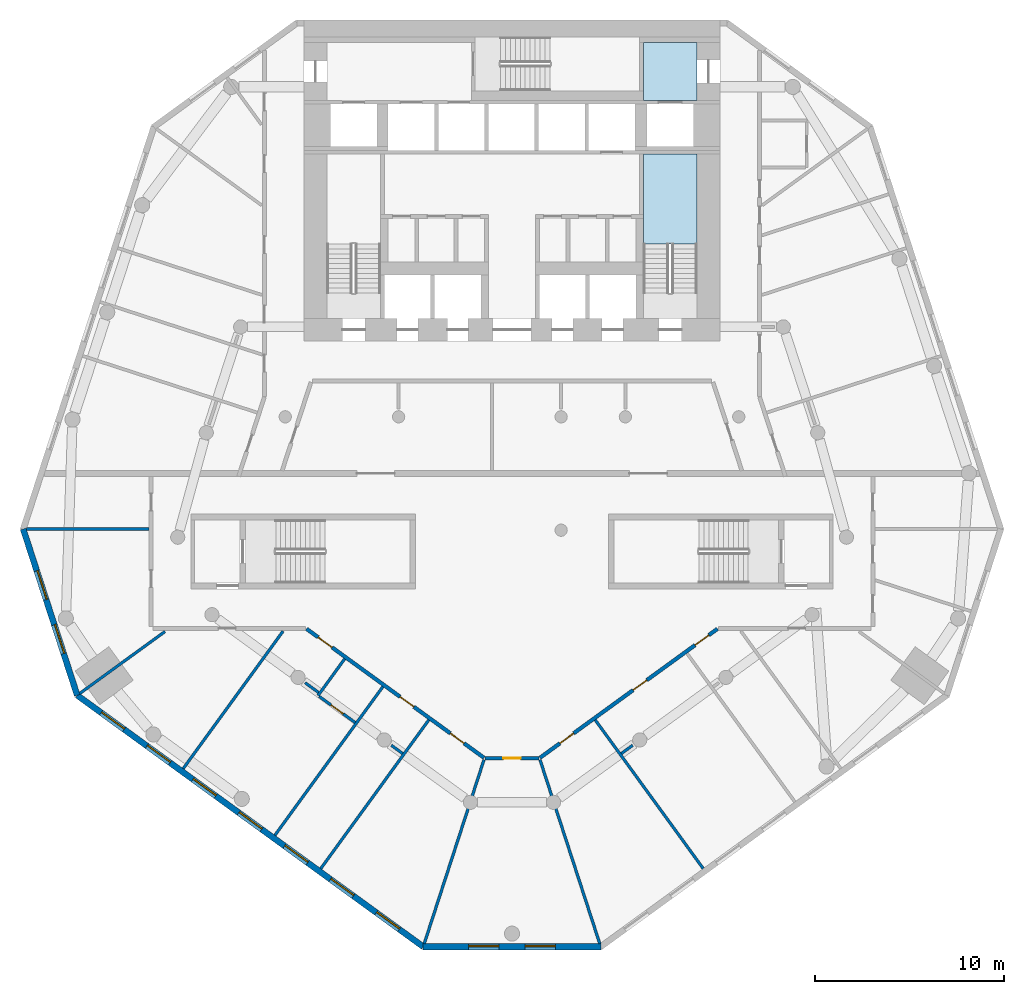
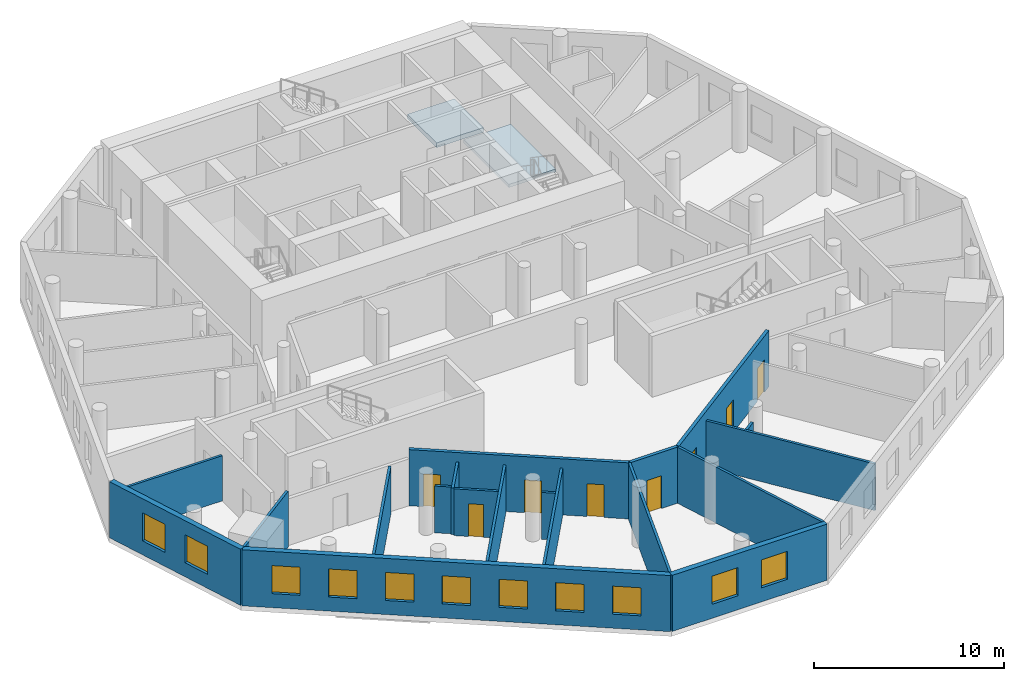
# One storey, part 2 of 9: 19 walls, 11 windows, 8 doors, 2 slabs, 19 openings, 1 element without a shape of its own.
"""IFC4 building model written with IfcOpenShell, lengths in metres."""

from ifc_helpers import new_model, si_unit, direction, frame, frame_2d, origin, place, context, subcontext, project, spatial, polyline, rectangle, outline, extrude, material, layer, layer_set, type_object, element, fill, aggregate, save


model = new_model("IFC4")

# Units and contexts
model_context = context("Model", 3, precision=1e-05, world=origin(), true_north=direction((0.0, 1.0)))
body_context = subcontext(model_context, "Body", "Model", "MODEL_VIEW")
ifc_project = project(units=[si_unit("LENGTHUNIT", "METRE"), si_unit("AREAUNIT", "SQUARE_METRE"), si_unit("VOLUMEUNIT", "CUBIC_METRE"), si_unit("PLANEANGLEUNIT", "RADIAN"), si_unit("MASSUNIT", "GRAM", prefix="KILO")], contexts=[model_context])

# Site, building, storey
site_placement = place(None, origin())
site = spatial("IfcSite", under=ifc_project, at=site_placement, CompositionType="ELEMENT")
building_placement = place(site_placement, origin())
building = spatial("IfcBuilding", under=site, at=building_placement, Name="White Candle Pilgrim Tower", CompositionType="ELEMENT")
storey_placement = place(building_placement, frame((0.0, 0.0, 81.89990234375)))
storey = spatial("IfcBuildingStorey", under=building, at=storey_placement, Name="L17", CompositionType="ELEMENT", Elevation=81.89990234375)

# Slab
ifc_material_1 = material(Name="Concrete C40/50", Category="concrete")
ifc_layer_1 = layer(ifc_material_1, 0.300048828125)
ifc_layer_set_1 = layer_set([ifc_layer_1], Name="Core floor slab 300 mm Concrete C40/50")
slab_type_1 = type_object("IfcSlabType", Name="Core floor slab 300 mm Concrete C40/50", PredefinedType="FLOOR", material=ifc_layer_set_1)
slab_1_placement = place(storey_placement, frame((0.0, 0.0, -0.2998046875)))
element("IfcSlab", 1, at=slab_1_placement, inside=storey, type_object=slab_type_1, Name="CF-L17-06", PredefinedType="FLOOR", context=body_context, shape_type="SweptSolid", body=[
    extrude(outline(polyline([(79.800048828125, 86.800048828125), (79.800048828125, 83.75), (76.949951171875, 83.75), (76.949951171875, 84.25), (76.949951171875, 86.800048828125), (79.800048828125, 86.800048828125)])), origin(), (0.0, 0.0, 1.0), 0.2998046875),
])

# Stair, slab
stair_type = type_object("IfcStairType", Name="Exit stair 2 flight width 1350 mm", PredefinedType="HALF_TURN_STAIR", material=ifc_material_1)
stair_placement = place(storey_placement, origin())
stair = element("IfcStair", 2, at=stair_placement, inside=storey, type_object=stair_type, Name="L17 stair 2", PredefinedType="NOTDEFINED")
ifc_layer_2 = layer(ifc_material_1, 0.199951171875)
ifc_layer_set_2 = layer_set([ifc_layer_2], Name="Stair landing Concrete C40/50")
slab_type_2 = type_object("IfcSlabType", Name="Stair landing Concrete C40/50", PredefinedType="LANDING", material=ifc_layer_set_2)
slab_2_placement = place(storey_placement, frame((0.0, 0.0, 1.75)))
slab_2 = element("IfcSlab", 3, at=slab_2_placement, type_object=slab_type_2, Name="ST2 landing 1", PredefinedType="LANDING", context=body_context, shape_type="SweptSolid", body=[
    extrude(outline(polyline([(79.802001953125, 76.14794921875), (76.947998046875, 76.14794921875), (76.947998046875, 80.902099609375), (79.802001953125, 80.902099609375), (79.802001953125, 76.14794921875)])), origin(), (0.0, 0.0, 1.0), 0.2001953125),
])
aggregate(stair, [slab_2])

# Wall, openings, doors
ifc_material_2 = material(Name="Gypsum board on steel studs", Category="steel")
ifc_layer_3 = layer(ifc_material_2, 0.199951171875)
ifc_layer_set_3 = layer_set([ifc_layer_3], Name="Corridor wall 200 mm EI 45")
wall_type_1 = type_object("IfcWallType", Name="Corridor wall 200 mm EI 45", PredefinedType="PARTITIONING", material=ifc_layer_set_3)
wall_1_placement = place(storey_placement, frame((80.8740234375, 55.781005859375, 0.0), z_axis=(0.0, 0.0, 1.0), x_axis=(-0.80901423231, -0.587789053931, 0.0)))
wall_1 = element("IfcWall", 4, at=wall_1_placement, inside=storey, type_object=wall_type_1, Name="WL-L17-P008", PredefinedType="PARTITIONING", context=body_context, shape_type="SweptSolid", body=[
    extrude(rectangle(XDim=11.61083984375, YDim=0.199951171875, at=frame_2d((5.805419921875, 0.0))), origin(), (0.0, 0.0, 1.0), 3.60009765625),
])
opening_1_placement = place(wall_1_placement, frame((9.40576171875, 0.0, 0.0)))
opening_1 = element("IfcOpeningElement", 5, at=opening_1_placement, cuts=wall_1, Name="Opening T05-108", PredefinedType="OPENING", context=body_context, shape_type="SweptSolid", body=[
    extrude(rectangle(XDim=0.89990234375, YDim=2.10009765625, at=frame_2d((0.449951171875, 1.050048828125))), frame((0.0, 0.10986328125, 0.0), z_axis=(0.0, -1.0, 0.0), x_axis=(1.0, 0.0, 0.0)), (0.0, 0.0, 1.0), 0.219970703125),
])
opening_2_placement = place(wall_1_placement, frame((4.6181640625, 0.0, 0.0)))
opening_2 = element("IfcOpeningElement", 6, at=opening_2_placement, cuts=wall_1, Name="Opening T05-109", PredefinedType="OPENING", context=body_context, shape_type="SweptSolid", body=[
    extrude(rectangle(XDim=0.89990234375, YDim=2.10009765625, at=frame_2d((0.449951171875, 1.050048828125))), frame((0.0, 0.10986328125, 0.0), z_axis=(0.0, -1.0, 0.0), x_axis=(1.0, 0.0, 0.0)), (0.0, 0.0, 1.0), 0.219970703125),
])
opening_3_placement = place(wall_1_placement, frame((0.56787109375, 0.0, 0.0)))
opening_3 = element("IfcOpeningElement", 7, at=opening_3_placement, cuts=wall_1, Name="Opening T05-110", PredefinedType="OPENING", context=body_context, shape_type="SweptSolid", body=[
    extrude(rectangle(XDim=0.89990234375, YDim=2.10009765625, at=frame_2d((0.449951171875, 1.050048828125))), frame((0.0, 0.10986328125, 0.0), z_axis=(0.0, -1.0, 0.0), x_axis=(1.0, 0.0, 0.0)), (0.0, 0.0, 1.0), 0.219970703125),
])
ifc_material_3 = material(Name="Steel door leaf", Category="steel")
door_type_1 = type_object("IfcDoorType", Name="Fire door 900 x 2100 EI 30", OperationType="NOTDEFINED", PredefinedType="DOOR", material=ifc_material_3)
door_1_placement = place(opening_1_placement, origin())
door_1 = element("IfcDoor", 8, at=door_1_placement, inside=storey, type_object=door_type_1, Name="Door T05-108", OperationType="SINGLE_SWING_RIGHT", OverallHeight=2.10009765625, OverallWidth=0.89990234375, PredefinedType="DOOR", context=body_context, shape_type="SweptSolid", body=[
    extrude(rectangle(XDim=0.89990234375, YDim=2.10009765625, at=frame_2d((0.449951171875, 1.050048828125))), frame((0.0, 0.02490234375, 0.0), z_axis=(0.0, -1.0, 0.0), x_axis=(1.0, 0.0, 0.0)), (0.0, 0.0, 1.0), 0.050048828125),
])
fill(opening_1, door_1)
door_2_placement = place(opening_2_placement, origin())
door_2 = element("IfcDoor", 9, at=door_2_placement, inside=storey, type_object=door_type_1, Name="Door T05-109", OperationType="SINGLE_SWING_LEFT", OverallHeight=2.10009765625, OverallWidth=0.89990234375, PredefinedType="DOOR", context=body_context, shape_type="SweptSolid", body=[
    extrude(rectangle(XDim=0.89990234375, YDim=2.10009765625, at=frame_2d((0.449951171875, 1.050048828125))), frame((0.0, 0.02490234375, 0.0), z_axis=(0.0, -1.0, 0.0), x_axis=(1.0, 0.0, 0.0)), (0.0, 0.0, 1.0), 0.050048828125),
])
fill(opening_2, door_2)
door_3_placement = place(opening_3_placement, origin())
door_3 = element("IfcDoor", 10, at=door_3_placement, inside=storey, type_object=door_type_1, Name="Door T05-110", OperationType="SINGLE_SWING_RIGHT", OverallHeight=2.10009765625, OverallWidth=0.89990234375, PredefinedType="DOOR", context=body_context, shape_type="SweptSolid", body=[
    extrude(rectangle(XDim=0.89990234375, YDim=2.10009765625, at=frame_2d((0.449951171875, 1.050048828125))), frame((0.0, 0.02490234375, 0.0), z_axis=(0.0, -1.0, 0.0), x_axis=(1.0, 0.0, 0.0)), (0.0, 0.0, 1.0), 0.050048828125),
])
fill(opening_3, door_3)

# Wall, opening, door
wall_2_placement = place(storey_placement, frame((71.421875, 48.93701171875, 0.0), z_axis=(0.0, 0.0, 1.0), x_axis=(-1.0, 0.0, 0.0)))
wall_2 = element("IfcWall", 11, at=wall_2_placement, inside=storey, type_object=wall_type_1, Name="WL-L17-P009", PredefinedType="PARTITIONING", context=body_context, shape_type="SweptSolid", body=[
    extrude(rectangle(XDim=2.84375, YDim=0.199951171875, at=frame_2d((1.421875, 0.0))), origin(), (0.0, 0.0, 1.0), 3.60009765625),
])
opening_4_placement = place(wall_2_placement, frame((0.971923828125, 0.0, 0.0)))
opening_4 = element("IfcOpeningElement", 12, at=opening_4_placement, cuts=wall_2, Name="Opening T05-107", PredefinedType="OPENING", context=body_context, shape_type="SweptSolid", body=[
    extrude(rectangle(XDim=0.89990234375, YDim=2.10009765625, at=frame_2d((0.449951171875, 1.050048828125))), frame((0.0, 0.10986328125, 0.0), z_axis=(0.0, -1.0, 0.0), x_axis=(1.0, 0.0, 0.0)), (0.0, 0.0, 1.0), 0.219970703125),
])
door_4_placement = place(opening_4_placement, origin())
door_4 = element("IfcDoor", 13, at=door_4_placement, inside=storey, type_object=door_type_1, Name="Door T05-107", OperationType="SINGLE_SWING_LEFT", OverallHeight=2.10009765625, OverallWidth=0.89990234375, PredefinedType="DOOR", context=body_context, shape_type="SweptSolid", body=[
    extrude(rectangle(XDim=0.89990234375, YDim=2.10009765625, at=frame_2d((0.449951171875, 1.050048828125))), frame((0.0, 0.02490234375, 0.0), z_axis=(0.0, -1.0, 0.0), x_axis=(1.0, 0.0, 0.0)), (0.0, 0.0, 1.0), 0.050048828125),
])
fill(opening_4, door_4)

# Wall, openings, doors
wall_3_placement = place(storey_placement, frame((68.519287109375, 48.956298828125, 0.0), z_axis=(0.0, 0.0, 1.0), x_axis=(-0.80901423231, 0.587789053931, 0.0)))
wall_3 = element("IfcWall", 14, at=wall_3_placement, inside=storey, type_object=wall_type_1, Name="WL-L17-P010", PredefinedType="PARTITIONING", context=body_context, shape_type="SweptSolid", body=[
    extrude(rectangle(XDim=11.61083984375, YDim=0.199951171875, at=frame_2d((5.805419921875, 0.0))), origin(), (0.0, 0.0, 1.0), 3.60009765625),
])
opening_5_placement = place(wall_3_placement, frame((9.943115234375, 0.0, 0.0)))
opening_5 = element("IfcOpeningElement", 15, at=opening_5_placement, cuts=wall_3, Name="Opening T05-104", PredefinedType="OPENING", context=body_context, shape_type="SweptSolid", body=[
    extrude(rectangle(XDim=0.89990234375, YDim=2.10009765625, at=frame_2d((0.449951171875, 1.050048828125))), frame((0.0, 0.10986328125, 0.0), z_axis=(0.0, -1.0, 0.0), x_axis=(1.0, 0.0, 0.0)), (0.0, 0.0, 1.0), 0.219970703125),
])
opening_6_placement = place(wall_3_placement, frame((4.5927734375, 0.0, 0.0)))
opening_6 = element("IfcOpeningElement", 16, at=opening_6_placement, cuts=wall_3, Name="Opening T05-105", PredefinedType="OPENING", context=body_context, shape_type="SweptSolid", body=[
    extrude(rectangle(XDim=0.89990234375, YDim=2.10009765625, at=frame_2d((0.449951171875, 1.050048828125))), frame((0.0, 0.10986328125, 0.0), z_axis=(0.0, -1.0, 0.0), x_axis=(1.0, 0.0, 0.0)), (0.0, 0.0, 1.0), 0.219970703125),
])
opening_7_placement = place(wall_3_placement, frame((1.30517578125, 0.0, 0.0)))
opening_7 = element("IfcOpeningElement", 17, at=opening_7_placement, cuts=wall_3, Name="Opening T05-106", PredefinedType="OPENING", context=body_context, shape_type="SweptSolid", body=[
    extrude(rectangle(XDim=0.89990234375, YDim=2.10009765625, at=frame_2d((0.449951171875, 1.050048828125))), frame((0.0, 0.10986328125, 0.0), z_axis=(0.0, -1.0, 0.0), x_axis=(1.0, 0.0, 0.0)), (0.0, 0.0, 1.0), 0.219970703125),
])
door_5_placement = place(opening_5_placement, origin())
door_5 = element("IfcDoor", 18, at=door_5_placement, inside=storey, type_object=door_type_1, Name="Door T05-104", OperationType="SINGLE_SWING_RIGHT", OverallHeight=2.10009765625, OverallWidth=0.89990234375, PredefinedType="DOOR", context=body_context, shape_type="SweptSolid", body=[
    extrude(rectangle(XDim=0.89990234375, YDim=2.10009765625, at=frame_2d((0.449951171875, 1.050048828125))), frame((0.0, 0.02490234375, 0.0), z_axis=(0.0, -1.0, 0.0), x_axis=(1.0, 0.0, 0.0)), (0.0, 0.0, 1.0), 0.050048828125),
])
fill(opening_5, door_5)
door_6_placement = place(opening_6_placement, origin())
door_6 = element("IfcDoor", 19, at=door_6_placement, inside=storey, type_object=door_type_1, Name="Door T05-105", OperationType="SINGLE_SWING_LEFT", OverallHeight=2.10009765625, OverallWidth=0.89990234375, PredefinedType="DOOR", context=body_context, shape_type="SweptSolid", body=[
    extrude(rectangle(XDim=0.89990234375, YDim=2.10009765625, at=frame_2d((0.449951171875, 1.050048828125))), frame((0.0, 0.02490234375, 0.0), z_axis=(0.0, -1.0, 0.0), x_axis=(1.0, 0.0, 0.0)), (0.0, 0.0, 1.0), 0.050048828125),
])
fill(opening_6, door_6)
door_7_placement = place(opening_7_placement, origin())
door_7 = element("IfcDoor", 20, at=door_7_placement, inside=storey, type_object=door_type_1, Name="Door T05-106", OperationType="SINGLE_SWING_RIGHT", OverallHeight=2.10009765625, OverallWidth=0.89990234375, PredefinedType="DOOR", context=body_context, shape_type="SweptSolid", body=[
    extrude(rectangle(XDim=0.89990234375, YDim=2.10009765625, at=frame_2d((0.449951171875, 1.050048828125))), frame((0.0, 0.02490234375, 0.0), z_axis=(0.0, -1.0, 0.0), x_axis=(1.0, 0.0, 0.0)), (0.0, 0.0, 1.0), 0.050048828125),
])
fill(opening_7, door_7)

# Wall, openings, windows
ifc_material_4 = material(Name="Precast concrete C40/50", Category="concrete")
ifc_layer_4 = layer(ifc_material_4, 0.320068359375)
ifc_layer_set_4 = layer_set([ifc_layer_4], Name="Facade wall EW1 precast concrete C40/50 pier wall with timber-lined reveals")
wall_type_2 = type_object("IfcWallType", Name="Facade wall EW1 precast concrete C40/50 pier wall with timber-lined reveals", PredefinedType="SOLIDWALL", material=ifc_layer_set_4)
wall_4_placement = place(storey_placement, frame((44.131591796875, 61.059814453125, 0.0), z_axis=(0.0, 0.0, 1.0), x_axis=(0.309005505668, -0.951060249125, 0.0)))
wall_4 = element("IfcWall", 21, at=wall_4_placement, inside=storey, type_object=wall_type_2, Name="Facade wall L17 W chamfer", PredefinedType="SOLIDWALL", context=body_context, shape_type="SweptSolid", body=[
    extrude(rectangle(XDim=9.250244140625, YDim=0.320068359375, at=frame_2d((4.625, 0.0))), origin(), (0.0, 0.0, 1.0), 3.60009765625),
])
opening_8_placement = place(wall_4_placement, frame((2.3251953125, 0.0, 0.89990234375)))
opening_8 = element("IfcOpeningElement", 22, at=opening_8_placement, cuts=wall_4, Name="Opening W2", PredefinedType="OPENING", context=body_context, shape_type="SweptSolid", body=[
    extrude(rectangle(XDim=1.60009765625, YDim=1.800048828125, at=frame_2d((0.800048828125, 0.89990234375))), frame((0.0, 0.169921875, 0.0), z_axis=(0.0, -1.0, 0.0), x_axis=(1.0, 0.0, 0.0)), (0.0, 0.0, 1.0), 0.340087890625),
])
opening_9_placement = place(wall_4_placement, frame((5.3251953125, 0.0, 0.89990234375)))
opening_9 = element("IfcOpeningElement", 23, at=opening_9_placement, cuts=wall_4, Name="Opening W2", PredefinedType="OPENING", context=body_context, shape_type="SweptSolid", body=[
    extrude(rectangle(XDim=1.60009765625, YDim=1.800048828125, at=frame_2d((0.800048828125, 0.89990234375))), frame((0.0, 0.169921875, 0.0), z_axis=(0.0, -1.0, 0.0), x_axis=(1.0, 0.0, 0.0)), (0.0, 0.0, 1.0), 0.340087890625),
])
ifc_material_5 = material(Name="Timber frame with triple glazing", Category="wood")
window_type_1 = type_object("IfcWindowType", Name="Window W2 1600x1800 timber frame triple glazing", PartitioningType="SINGLE_PANEL", PredefinedType="WINDOW", material=ifc_material_5)
window_1_placement = place(opening_8_placement, origin())
window_1 = element("IfcWindow", 24, at=window_1_placement, inside=storey, type_object=window_type_1, Name="Window W2 L17 W chamfer 1", OverallHeight=1.800048828125, OverallWidth=1.60009765625, PartitioningType="SINGLE_PANEL", PredefinedType="WINDOW", context=body_context, shape_type="SweptSolid", body=[
    extrude(rectangle(XDim=1.60009765625, YDim=1.800048828125, at=frame_2d((0.800048828125, 0.89990234375))), frame((0.0, 0.070068359375, 0.0), z_axis=(0.0, -1.0, 0.0), x_axis=(1.0, 0.0, 0.0)), (0.0, 0.0, 1.0), 0.06005859375),
])
fill(opening_8, window_1)
window_2_placement = place(opening_9_placement, origin())
window_2 = element("IfcWindow", 25, at=window_2_placement, inside=storey, type_object=window_type_1, Name="Window W2 L17 W chamfer 2", OverallHeight=1.800048828125, OverallWidth=1.60009765625, PartitioningType="SINGLE_PANEL", PredefinedType="WINDOW", context=body_context, shape_type="SweptSolid", body=[
    extrude(rectangle(XDim=1.60009765625, YDim=1.800048828125, at=frame_2d((0.800048828125, 0.89990234375))), frame((0.0, 0.070068359375, 0.0), z_axis=(0.0, -1.0, 0.0), x_axis=(1.0, 0.0, 0.0)), (0.0, 0.0, 1.0), 0.06005859375),
])
fill(opening_9, window_2)

wall_5_placement = place(storey_placement, frame((46.989990234375, 52.26220703125, 0.0), z_axis=(0.0, 0.0, 1.0), x_axis=(0.809016763711, -0.587785569774, 0.0)))
wall_5 = element("IfcWall", 26, at=wall_5_placement, inside=storey, type_object=wall_type_2, Name="Facade wall L17 SW", PredefinedType="SOLIDWALL", context=body_context, shape_type="SweptSolid", body=[
    extrude(rectangle(XDim=22.635986328125, YDim=0.320068359375, at=frame_2d((11.31787109375, 0.0))), origin(), (0.0, 0.0, 1.0), 3.60009765625),
])
opening_10_placement = place(wall_5_placement, frame((1.568115234375, 0.0, 0.89990234375)))
opening_10 = element("IfcOpeningElement", 27, at=opening_10_placement, cuts=wall_5, Name="Opening W1", PredefinedType="OPENING", context=body_context, shape_type="SweptSolid", body=[
    extrude(rectangle(XDim=1.5, YDim=1.800048828125, at=frame_2d((0.75, 0.89990234375))), frame((0.0, 0.169921875, 0.0), z_axis=(0.0, -1.0, 0.0), x_axis=(1.0, 0.0, 0.0)), (0.0, 0.0, 1.0), 0.340087890625),
])
opening_11_placement = place(wall_5_placement, frame((4.568115234375, 0.0, 0.89990234375)))
opening_11 = element("IfcOpeningElement", 28, at=opening_11_placement, cuts=wall_5, Name="Opening W1", PredefinedType="OPENING", context=body_context, shape_type="SweptSolid", body=[
    extrude(rectangle(XDim=1.5, YDim=1.800048828125, at=frame_2d((0.75, 0.89990234375))), frame((0.0, 0.169921875, 0.0), z_axis=(0.0, -1.0, 0.0), x_axis=(1.0, 0.0, 0.0)), (0.0, 0.0, 1.0), 0.340087890625),
])
opening_12_placement = place(wall_5_placement, frame((7.568115234375, 0.0, 0.89990234375)))
opening_12 = element("IfcOpeningElement", 29, at=opening_12_placement, cuts=wall_5, Name="Opening W1", PredefinedType="OPENING", context=body_context, shape_type="SweptSolid", body=[
    extrude(rectangle(XDim=1.5, YDim=1.800048828125, at=frame_2d((0.75, 0.89990234375))), frame((0.0, 0.169921875, 0.0), z_axis=(0.0, -1.0, 0.0), x_axis=(1.0, 0.0, 0.0)), (0.0, 0.0, 1.0), 0.340087890625),
])
opening_13_placement = place(wall_5_placement, frame((10.568115234375, 0.0, 0.89990234375)))
opening_13 = element("IfcOpeningElement", 30, at=opening_13_placement, cuts=wall_5, Name="Opening W1", PredefinedType="OPENING", context=body_context, shape_type="SweptSolid", body=[
    extrude(rectangle(XDim=1.5, YDim=1.800048828125, at=frame_2d((0.75, 0.89990234375))), frame((0.0, 0.169921875, 0.0), z_axis=(0.0, -1.0, 0.0), x_axis=(1.0, 0.0, 0.0)), (0.0, 0.0, 1.0), 0.340087890625),
])
opening_14_placement = place(wall_5_placement, frame((13.568115234375, 0.0, 0.89990234375)))
opening_14 = element("IfcOpeningElement", 31, at=opening_14_placement, cuts=wall_5, Name="Opening W1", PredefinedType="OPENING", context=body_context, shape_type="SweptSolid", body=[
    extrude(rectangle(XDim=1.5, YDim=1.800048828125, at=frame_2d((0.75, 0.89990234375))), frame((0.0, 0.169921875, 0.0), z_axis=(0.0, -1.0, 0.0), x_axis=(1.0, 0.0, 0.0)), (0.0, 0.0, 1.0), 0.340087890625),
])
opening_15_placement = place(wall_5_placement, frame((16.568115234375, 0.0, 0.89990234375)))
opening_15 = element("IfcOpeningElement", 32, at=opening_15_placement, cuts=wall_5, Name="Opening W1", PredefinedType="OPENING", context=body_context, shape_type="SweptSolid", body=[
    extrude(rectangle(XDim=1.5, YDim=1.800048828125, at=frame_2d((0.75, 0.89990234375))), frame((0.0, 0.169921875, 0.0), z_axis=(0.0, -1.0, 0.0), x_axis=(1.0, 0.0, 0.0)), (0.0, 0.0, 1.0), 0.340087890625),
])
opening_16_placement = place(wall_5_placement, frame((19.568115234375, 0.0, 0.89990234375)))
opening_16 = element("IfcOpeningElement", 33, at=opening_16_placement, cuts=wall_5, Name="Opening W1", PredefinedType="OPENING", context=body_context, shape_type="SweptSolid", body=[
    extrude(rectangle(XDim=1.5, YDim=1.800048828125, at=frame_2d((0.75, 0.89990234375))), frame((0.0, 0.169921875, 0.0), z_axis=(0.0, -1.0, 0.0), x_axis=(1.0, 0.0, 0.0)), (0.0, 0.0, 1.0), 0.340087890625),
])
window_type_2 = type_object("IfcWindowType", Name="Window W1 1500x1800 timber frame triple glazing", PartitioningType="SINGLE_PANEL", PredefinedType="WINDOW", material=ifc_material_5)
window_3_placement = place(opening_10_placement, origin())
window_3 = element("IfcWindow", 34, at=window_3_placement, inside=storey, type_object=window_type_2, Name="Window W1 L17 SW 1", OverallHeight=1.800048828125, OverallWidth=1.5, PartitioningType="SINGLE_PANEL", PredefinedType="WINDOW", context=body_context, shape_type="SweptSolid", body=[
    extrude(rectangle(XDim=1.5, YDim=1.800048828125, at=frame_2d((0.75, 0.89990234375))), frame((0.0, 0.070068359375, 0.0), z_axis=(0.0, -1.0, 0.0), x_axis=(1.0, 0.0, 0.0)), (0.0, 0.0, 1.0), 0.06005859375),
])
fill(opening_10, window_3)
window_4_placement = place(opening_11_placement, origin())
window_4 = element("IfcWindow", 35, at=window_4_placement, inside=storey, type_object=window_type_2, Name="Window W1 L17 SW 2", OverallHeight=1.800048828125, OverallWidth=1.5, PartitioningType="SINGLE_PANEL", PredefinedType="WINDOW", context=body_context, shape_type="SweptSolid", body=[
    extrude(rectangle(XDim=1.5, YDim=1.800048828125, at=frame_2d((0.75, 0.89990234375))), frame((0.0, 0.070068359375, 0.0), z_axis=(0.0, -1.0, 0.0), x_axis=(1.0, 0.0, 0.0)), (0.0, 0.0, 1.0), 0.06005859375),
])
fill(opening_11, window_4)
window_5_placement = place(opening_12_placement, origin())
window_5 = element("IfcWindow", 36, at=window_5_placement, inside=storey, type_object=window_type_2, Name="Window W1 L17 SW 3", OverallHeight=1.800048828125, OverallWidth=1.5, PartitioningType="SINGLE_PANEL", PredefinedType="WINDOW", context=body_context, shape_type="SweptSolid", body=[
    extrude(rectangle(XDim=1.5, YDim=1.800048828125, at=frame_2d((0.75, 0.89990234375))), frame((0.0, 0.070068359375, 0.0), z_axis=(0.0, -1.0, 0.0), x_axis=(1.0, 0.0, 0.0)), (0.0, 0.0, 1.0), 0.06005859375),
])
fill(opening_12, window_5)
window_6_placement = place(opening_13_placement, origin())
window_6 = element("IfcWindow", 37, at=window_6_placement, inside=storey, type_object=window_type_2, Name="Window W1 L17 SW 4", OverallHeight=1.800048828125, OverallWidth=1.5, PartitioningType="SINGLE_PANEL", PredefinedType="WINDOW", context=body_context, shape_type="SweptSolid", body=[
    extrude(rectangle(XDim=1.5, YDim=1.800048828125, at=frame_2d((0.75, 0.89990234375))), frame((0.0, 0.070068359375, 0.0), z_axis=(0.0, -1.0, 0.0), x_axis=(1.0, 0.0, 0.0)), (0.0, 0.0, 1.0), 0.06005859375),
])
fill(opening_13, window_6)
window_7_placement = place(opening_14_placement, origin())
window_7 = element("IfcWindow", 38, at=window_7_placement, inside=storey, type_object=window_type_2, Name="Window W1 L17 SW 5", OverallHeight=1.800048828125, OverallWidth=1.5, PartitioningType="SINGLE_PANEL", PredefinedType="WINDOW", context=body_context, shape_type="SweptSolid", body=[
    extrude(rectangle(XDim=1.5, YDim=1.800048828125, at=frame_2d((0.75, 0.89990234375))), frame((0.0, 0.070068359375, 0.0), z_axis=(0.0, -1.0, 0.0), x_axis=(1.0, 0.0, 0.0)), (0.0, 0.0, 1.0), 0.06005859375),
])
fill(opening_14, window_7)
window_8_placement = place(opening_15_placement, origin())
window_8 = element("IfcWindow", 39, at=window_8_placement, inside=storey, type_object=window_type_2, Name="Window W1 L17 SW 6", OverallHeight=1.800048828125, OverallWidth=1.5, PartitioningType="SINGLE_PANEL", PredefinedType="WINDOW", context=body_context, shape_type="SweptSolid", body=[
    extrude(rectangle(XDim=1.5, YDim=1.800048828125, at=frame_2d((0.75, 0.89990234375))), frame((0.0, 0.070068359375, 0.0), z_axis=(0.0, -1.0, 0.0), x_axis=(1.0, 0.0, 0.0)), (0.0, 0.0, 1.0), 0.06005859375),
])
fill(opening_15, window_8)
window_9_placement = place(opening_16_placement, origin())
window_9 = element("IfcWindow", 40, at=window_9_placement, inside=storey, type_object=window_type_2, Name="Window W1 L17 SW 7", OverallHeight=1.800048828125, OverallWidth=1.5, PartitioningType="SINGLE_PANEL", PredefinedType="WINDOW", context=body_context, shape_type="SweptSolid", body=[
    extrude(rectangle(XDim=1.5, YDim=1.800048828125, at=frame_2d((0.75, 0.89990234375))), frame((0.0, 0.070068359375, 0.0), z_axis=(0.0, -1.0, 0.0), x_axis=(1.0, 0.0, 0.0)), (0.0, 0.0, 1.0), 0.06005859375),
])
fill(opening_16, window_9)

wall_6_placement = place(storey_placement, frame((65.302978515625, 38.95703125, 0.0), z_axis=(0.0, 0.0, 1.0), x_axis=(1.0, 0.0, 0.0)))
wall_6 = element("IfcWall", 41, at=wall_6_placement, inside=storey, type_object=wall_type_2, Name="Facade wall L17 S chamfer", PredefinedType="SOLIDWALL", context=body_context, shape_type="SweptSolid", body=[
    extrude(rectangle(XDim=9.39404296875, YDim=0.320068359375, at=frame_2d((4.697021484375, 0.0))), origin(), (0.0, 0.0, 1.0), 3.60009765625),
])
opening_17_placement = place(wall_6_placement, frame((2.39697265625, 0.0, 0.89990234375)))
opening_17 = element("IfcOpeningElement", 42, at=opening_17_placement, cuts=wall_6, Name="Opening W2", PredefinedType="OPENING", context=body_context, shape_type="SweptSolid", body=[
    extrude(rectangle(XDim=1.60009765625, YDim=1.800048828125, at=frame_2d((0.800048828125, 0.89990234375))), frame((0.0, 0.169921875, 0.0), z_axis=(0.0, -1.0, 0.0), x_axis=(1.0, 0.0, 0.0)), (0.0, 0.0, 1.0), 0.340087890625),
])
opening_18_placement = place(wall_6_placement, frame((5.39697265625, 0.0, 0.89990234375)))
opening_18 = element("IfcOpeningElement", 43, at=opening_18_placement, cuts=wall_6, Name="Opening W2", PredefinedType="OPENING", context=body_context, shape_type="SweptSolid", body=[
    extrude(rectangle(XDim=1.60009765625, YDim=1.800048828125, at=frame_2d((0.800048828125, 0.89990234375))), frame((0.0, 0.169921875, 0.0), z_axis=(0.0, -1.0, 0.0), x_axis=(1.0, 0.0, 0.0)), (0.0, 0.0, 1.0), 0.340087890625),
])
window_10_placement = place(opening_17_placement, origin())
window_10 = element("IfcWindow", 44, at=window_10_placement, inside=storey, type_object=window_type_1, Name="Window W2 L17 S chamfer 1", OverallHeight=1.800048828125, OverallWidth=1.60009765625, PartitioningType="SINGLE_PANEL", PredefinedType="WINDOW", context=body_context, shape_type="SweptSolid", body=[
    extrude(rectangle(XDim=1.60009765625, YDim=1.800048828125, at=frame_2d((0.800048828125, 0.89990234375))), frame((0.0, 0.070068359375, 0.0), z_axis=(0.0, -1.0, 0.0), x_axis=(1.0, 0.0, 0.0)), (0.0, 0.0, 1.0), 0.06005859375),
])
fill(opening_17, window_10)
window_11_placement = place(opening_18_placement, origin())
window_11 = element("IfcWindow", 45, at=window_11_placement, inside=storey, type_object=window_type_1, Name="Window W2 L17 S chamfer 2", OverallHeight=1.800048828125, OverallWidth=1.60009765625, PartitioningType="SINGLE_PANEL", PredefinedType="WINDOW", context=body_context, shape_type="SweptSolid", body=[
    extrude(rectangle(XDim=1.60009765625, YDim=1.800048828125, at=frame_2d((0.800048828125, 0.89990234375))), frame((0.0, 0.070068359375, 0.0), z_axis=(0.0, -1.0, 0.0), x_axis=(1.0, 0.0, 0.0)), (0.0, 0.0, 1.0), 0.06005859375),
])
fill(opening_18, window_11)

# Walls
ifc_layer_5 = layer(ifc_material_2, 0.14990234375)
ifc_layer_set_5 = layer_set([ifc_layer_5], Name="Partition 150 mm EI 60")
wall_type_3 = type_object("IfcWallType", Name="Partition 150 mm EI 60", PredefinedType="PARTITIONING", material=ifc_layer_set_5)
wall_7_placement = place(storey_placement, frame((44.2998046875, 61.059814453125, 0.0), z_axis=(0.0, 0.0, 1.0), x_axis=(1.0, 0.0, 0.0)))
element("IfcWall", 46, at=wall_7_placement, inside=storey, type_object=wall_type_3, Name="WL-L17-P017", PredefinedType="PARTITIONING", context=body_context, shape_type="SweptSolid", body=[
    extrude(rectangle(XDim=6.500244140625, YDim=0.14990234375, at=frame_2d((3.25, 0.0))), origin(), (0.0, 0.0, 1.0), 2.900146484375),
])
wall_8_placement = place(storey_placement, frame((47.126220703125, 52.361083984375, 0.0), z_axis=(0.0, 0.0, 1.0), x_axis=(0.809016140997, 0.587786426864, 0.0)))
element("IfcWall", 47, at=wall_8_placement, inside=storey, type_object=wall_type_3, Name="WL-L17-P018", PredefinedType="PARTITIONING", context=body_context, shape_type="SweptSolid", body=[
    extrude(rectangle(XDim=5.577392578125, YDim=0.14990234375, at=frame_2d((2.78857421875, 0.0))), origin(), (0.0, 0.0, 1.0), 3.60009765625),
])
for number, where, z_axis, x_axis, name in (
    (48, (65.35498046875, 39.1171875, 0.0), (0.0, 0.0, 1.0), (0.309008980836, 0.951059120015, 0.0), "WL-L17-P019"),
    (49, (74.64501953125, 39.1171875, 0.0), (0.0, 0.0, 1.0), (-0.309008980836, 0.951059120015, 0.0), "WL-L17-P020"),
):
    element("IfcWall", number, at=place(storey_placement, frame(where, z_axis=z_axis, x_axis=x_axis)), inside=storey, type_object=wall_type_3, Name=name, PredefinedType="PARTITIONING", context=body_context, shape_type="SweptSolid", body=[
        extrude(rectangle(XDim=10.240234375, YDim=0.14990234375, at=frame_2d((5.1201171875, 0.0))), origin(), (0.0, 0.0, 1.0), 3.60009765625),
    ])
wall_9_placement = place(storey_placement, frame((52.60009765625, 48.384033203125, 0.0), z_axis=(0.0, 0.0, 1.0), x_axis=(0.587771106094, 0.809027272001, 0.0)))
element("IfcWall", 50, at=wall_9_placement, inside=storey, type_object=wall_type_3, Name="WL-L17-P028", PredefinedType="PARTITIONING", context=body_context, shape_type="SweptSolid", body=[
    extrude(rectangle(XDim=8.988525390625, YDim=0.14990234375, at=frame_2d((4.494140625, 0.0))), origin(), (0.0, 0.0, 1.0), 3.0),
])
wall_10_placement = place(storey_placement, frame((57.4541015625, 44.857421875, 0.0), z_axis=(0.0, 0.0, 1.0), x_axis=(0.587798267683, 0.80900753798, 0.0)))
element("IfcWall", 51, at=wall_10_placement, inside=storey, type_object=wall_type_3, Name="WL-L17-P029", PredefinedType="PARTITIONING", context=body_context, shape_type="SweptSolid", body=[
    extrude(rectangle(XDim=9.719970703125, YDim=0.14990234375, at=frame_2d((4.85986328125, 0.0))), origin(), (0.0, 0.0, 1.0), 3.0),
])
wall_11_placement = place(storey_placement, frame((59.881103515625, 43.093994140625, 0.0), z_axis=(0.0, 0.0, 1.0), x_axis=(0.587786323686, 0.809016215961, 0.0)))
element("IfcWall", 52, at=wall_11_placement, inside=storey, type_object=wall_type_3, Name="WL-L17-P030", PredefinedType="PARTITIONING", context=body_context, shape_type="SweptSolid", body=[
    extrude(rectangle(XDim=9.72021484375, YDim=0.14990234375, at=frame_2d((4.860107421875, 0.0))), origin(), (0.0, 0.0, 1.0), 3.0),
])
wall_12_placement = place(storey_placement, frame((61.144775390625, 54.1904296875, 0.0), z_axis=(0.0, 0.0, 1.0), x_axis=(-0.587772420479, -0.809026317077, 0.0)))
element("IfcWall", 53, at=wall_12_placement, inside=storey, type_object=wall_type_3, Name="WL-L17-P031", PredefinedType="PARTITIONING", context=body_context, shape_type="SweptSolid", body=[
    extrude(rectangle(XDim=2.39990234375, YDim=0.14990234375, at=frame_2d((1.199951171875, 0.0))), origin(), (0.0, 0.0, 1.0), 3.0),
])

# Wall, opening, door
wall_13_placement = place(storey_placement, frame((61.696044921875, 50.823486328125, 0.0), z_axis=(0.0, 0.0, 1.0), x_axis=(-0.808996573949, 0.587813357571, 0.0)))
wall_13 = element("IfcWall", 54, at=wall_13_placement, inside=storey, type_object=wall_type_3, Name="WL-L17-P032", PredefinedType="PARTITIONING", context=body_context, shape_type="SweptSolid", body=[
    extrude(rectangle(XDim=2.35009765625, YDim=0.14990234375, at=frame_2d((1.175048828125, 0.0))), origin(), (0.0, 0.0, 1.0), 3.0),
])
opening_19_placement = place(wall_13_placement, frame((0.77490234375, 0.0, 0.0)))
opening_19 = element("IfcOpeningElement", 55, at=opening_19_placement, cuts=wall_13, Name="Opening T05-103", PredefinedType="OPENING", context=body_context, shape_type="SweptSolid", body=[
    extrude(rectangle(XDim=0.800048828125, YDim=2.10009765625, at=frame_2d((0.39990234375, 1.050048828125))), frame((0.0, 0.0849609375, 0.0), z_axis=(0.0, -1.0, 0.0), x_axis=(1.0, 0.0, 0.0)), (0.0, 0.0, 1.0), 0.169921875),
])
door_type_2 = type_object("IfcDoorType", Name="Fire door 800 x 2100 EI 30", OperationType="NOTDEFINED", PredefinedType="DOOR", material=ifc_material_3)
door_8_placement = place(opening_19_placement, origin())
door_8 = element("IfcDoor", 56, at=door_8_placement, inside=storey, type_object=door_type_2, Name="Door T05-103", OperationType="SINGLE_SWING_LEFT", OverallHeight=2.10009765625, OverallWidth=0.800048828125, PredefinedType="DOOR", context=body_context, shape_type="SweptSolid", body=[
    extrude(rectangle(XDim=0.800048828125, YDim=2.10009765625, at=frame_2d((0.39990234375, 1.050048828125))), frame((0.0, 0.02490234375, 0.0), z_axis=(0.0, -1.0, 0.0), x_axis=(1.0, 0.0, 0.0)), (0.0, 0.0, 1.0), 0.050048828125),
])
fill(opening_19, door_8)

# Walls
wall_14_placement = place(storey_placement, frame((80.118896484375, 43.093994140625, 0.0), z_axis=(0.0, 0.0, 1.0), x_axis=(-0.587786323686, 0.809016215961, 0.0)))
element("IfcWall", 57, at=wall_14_placement, inside=storey, type_object=wall_type_3, Name="WL-L17-P033", PredefinedType="PARTITIONING", context=body_context, shape_type="SweptSolid", body=[
    extrude(rectangle(XDim=9.72021484375, YDim=0.14990234375, at=frame_2d((4.860107421875, 0.0))), origin(), (0.0, 0.0, 1.0), 3.0),
])
wall_15_placement = place(storey_placement, frame((59.050537109375, 52.92919921875, 0.0), z_axis=(0.0, 0.0, 1.0), x_axis=(0.808952485751, -0.587874030552, 0.0)))
element("IfcWall", 58, at=wall_15_placement, inside=storey, type_object=wall_type_3, Name="WL-L17-P044", PredefinedType="PARTITIONING", context=body_context, shape_type="SweptSolid", body=[
    extrude(rectangle(XDim=0.8779296875, YDim=0.14990234375, at=frame_2d((0.43896484375, 0.0))), origin(), (0.0, 0.0, 1.0), 3.0),
])
for number, where, z_axis, x_axis, name in (
    (59, (63.610595703125, 49.619140625, 0.0), (0.0, 0.0, 1.0), (0.809091070076, -0.587683282325, 0.0), "WL-L17-P045"),
    (60, (76.389404296875, 49.619140625, 0.0), (0.0, 0.0, 1.0), (-0.809091070076, -0.587683282325, 0.0), "WL-L17-P046"),
):
    element("IfcWall", number, at=place(storey_placement, frame(where, z_axis=z_axis, x_axis=x_axis)), inside=storey, type_object=wall_type_3, Name=name, PredefinedType="PARTITIONING", context=body_context, shape_type="SweptSolid", body=[
        extrude(rectangle(XDim=0.7431640625, YDim=0.14990234375, at=frame_2d((0.37158203125, 0.0))), origin(), (0.0, 0.0, 1.0), 3.0),
    ])

save(model, "model.ifc")
